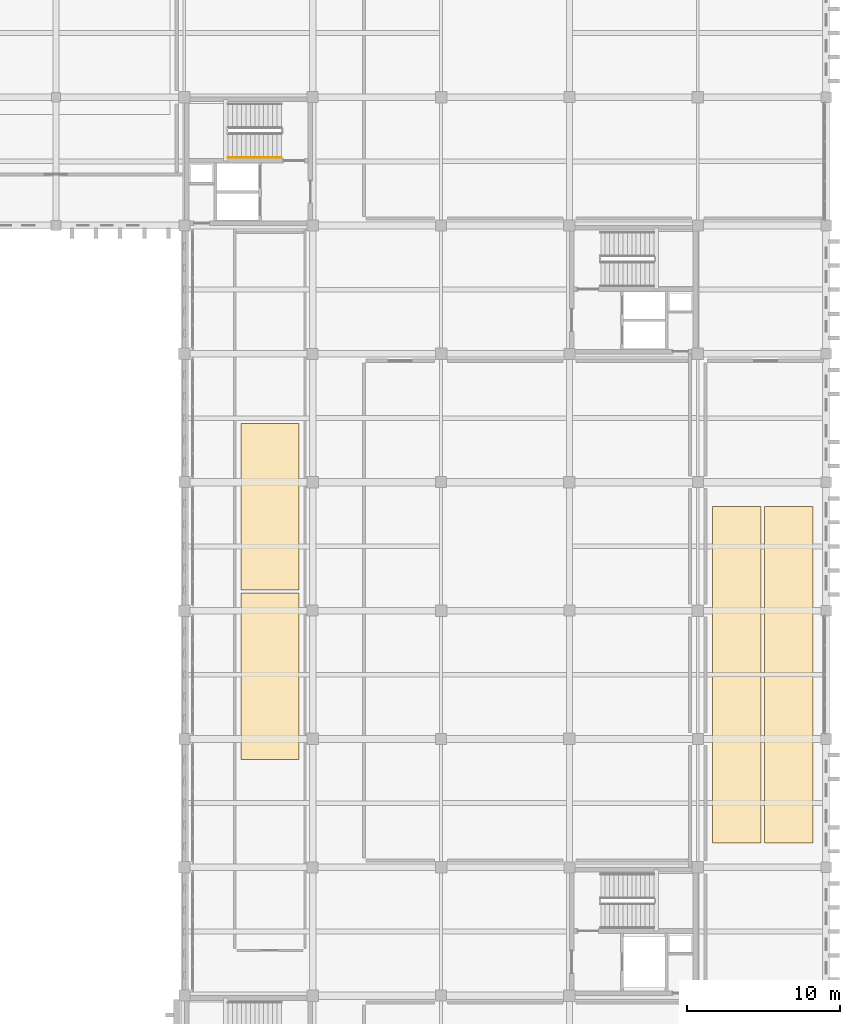
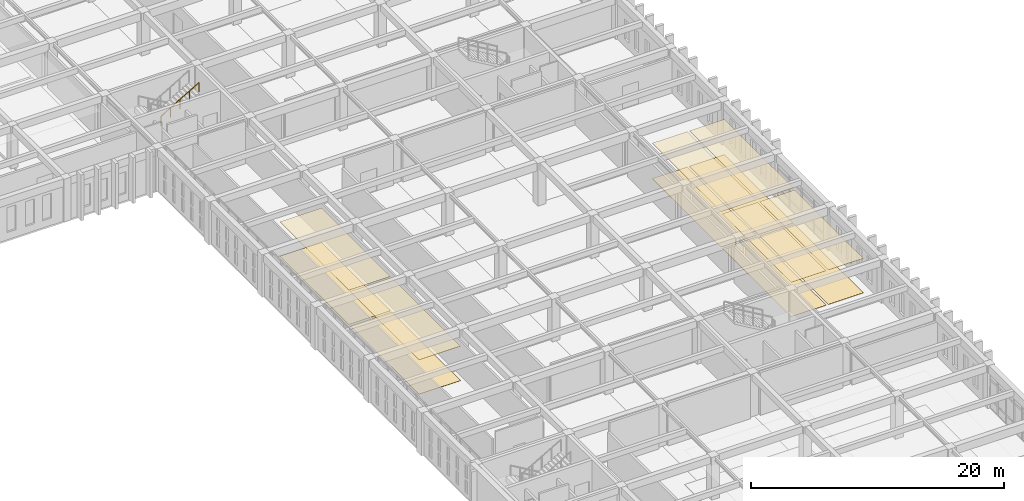
# One storey, part 191 of 192: 12 coverings, 1 railing.
"""IFC4 building model written with IfcOpenShell, lengths in metres."""

from ifc_helpers import new_model, si_unit, direction, frame, origin, origin_2d, place, context, subcontext, project, spatial, rectangle, circle, extrude, material, layer, layer_set, type_object, element, save


model = new_model("IFC4")

# Units and contexts
model_context = context("Model", 3, precision=1e-05, world=origin(), true_north=direction((0.0, 1.0)))
body_context = subcontext(model_context, "Body", "Model", "MODEL_VIEW")
ifc_project = project(units=[si_unit("LENGTHUNIT", "METRE"), si_unit("AREAUNIT", "SQUARE_METRE"), si_unit("VOLUMEUNIT", "CUBIC_METRE"), si_unit("PLANEANGLEUNIT", "RADIAN"), si_unit("MASSUNIT", "GRAM", prefix="KILO")], contexts=[model_context])

# Site, building, storey
site_placement = place(None, origin())
site = spatial("IfcSite", under=ifc_project, at=site_placement, CompositionType="ELEMENT")
building_placement = place(site_placement, origin())
building = spatial("IfcBuilding", under=site, at=building_placement, Name="Kveldsbrygga Polytechnic", CompositionType="ELEMENT")
storey_placement = place(building_placement, frame((0.0, 0.0, 5.43994140625)))
storey = spatial("IfcBuildingStorey", under=building, at=storey_placement, Name="L01", CompositionType="ELEMENT", Elevation=5.43994140625)

# Coverings
ifc_material_1 = material(Name="Acoustic mineral baffle ceiling")
ifc_layer_1 = layer(ifc_material_1, 0.030029296875)
ifc_layer_set_1 = layer_set([ifc_layer_1], Name="Acoustic mineral baffle ceiling")
covering_type_1 = type_object("IfcCoveringType", Name="COV-CEIL-AC30", PredefinedType="CEILING", material=ifc_layer_set_1)
for number, where, z_axis, x_axis, name in (
    (1, (162.14990234375, 49.050048828125, 3.31005859375), (0.0, 0.0, 1.0), (1.0, 0.0, 0.0), "Acoustic Ceiling SP-L01-LAB12-WS"),
    (2, (162.14990234375, 60.14990234375, 3.41015625), (0.0, 0.0, 1.0), (1.0, 0.0, 0.0), "Acoustic Ceiling SP-L01-LAB12-WN"),
    (3, (165.550048828125, 49.050048828125, 3.31005859375), (0.0, 0.0, 1.0), (1.0, 0.0, 0.0), "Acoustic Ceiling SP-L01-LAB12-ES"),
    (4, (165.550048828125, 60.14990234375, 3.41015625), (0.0, 0.0, 1.0), (1.0, 0.0, 0.0), "Acoustic Ceiling SP-L01-LAB12-EN"),
):
    element("IfcCovering", number, at=place(storey_placement, frame(where, z_axis=z_axis, x_axis=x_axis)), inside=storey, type_object=covering_type_1, Name=name, PredefinedType="CEILING", context=body_context, shape_type="SweptSolid", body=[
        extrude(rectangle(XDim=3.199951171875, YDim=10.89990234375, at=origin_2d()), origin(), (0.0, 0.0, 1.0), 0.030029296875),
    ])
for number, where, z_axis, x_axis, name in (
    (5, (131.60009765625, 54.5, 3.31005859375), (0.0, 0.0, 1.0), (1.0, 0.0, 0.0), "Acoustic Ceiling SP-L01-SEM13-S"),
    (6, (131.60009765625, 65.60009765625, 3.31005859375), (0.0, 0.0, 1.0), (1.0, 0.0, 0.0), "Acoustic Ceiling SP-L01-SEM13-N"),
):
    element("IfcCovering", number, at=place(storey_placement, frame(where, z_axis=z_axis, x_axis=x_axis)), inside=storey, type_object=covering_type_1, Name=name, PredefinedType="CEILING", context=body_context, shape_type="SweptSolid", body=[
        extrude(rectangle(XDim=3.800048828125, YDim=10.89990234375, at=origin_2d()), origin(), (0.0, 0.0, 1.0), 0.030029296875),
    ])
ifc_material_2 = material(Name="Heavy-duty quartz-filled epoxy resin flooring")
ifc_layer_2 = layer(ifc_material_2, 0.014892578125)
ifc_layer_set_2 = layer_set([ifc_layer_2], Name="Heavy-duty quartz-filled epoxy resin flooring")
covering_type_2 = type_object("IfcCoveringType", Name="COV-FLR-EPX15", PredefinedType="FLOORING", material=ifc_layer_set_2)
for number, where, z_axis, x_axis, name in (
    (7, (162.14990234375, 49.050048828125, 0.0), (0.0, 0.0, 1.0), (1.0, 0.0, 0.0), "Room Flooring SP-L01-LAB12-WS"),
    (8, (162.14990234375, 60.14990234375, 0.0), (0.0, 0.0, 1.0), (1.0, 0.0, 0.0), "Room Flooring SP-L01-LAB12-WN"),
    (9, (165.550048828125, 49.050048828125, 0.0), (0.0, 0.0, 1.0), (1.0, 0.0, 0.0), "Room Flooring SP-L01-LAB12-ES"),
    (10, (165.550048828125, 60.14990234375, 0.0), (0.0, 0.0, 1.0), (1.0, 0.0, 0.0), "Room Flooring SP-L01-LAB12-EN"),
):
    element("IfcCovering", number, at=place(storey_placement, frame(where, z_axis=z_axis, x_axis=x_axis)), inside=storey, type_object=covering_type_2, Name=name, PredefinedType="FLOORING", context=body_context, shape_type="SweptSolid", body=[
        extrude(rectangle(XDim=3.199951171875, YDim=10.89990234375, at=origin_2d()), origin(), (0.0, 0.0, 1.0), 0.014892578125),
    ])
ifc_material_3 = material(Name="Acoustic oak timber flooring", Category="wood")
ifc_layer_3 = layer(ifc_material_3, 0.02197265625)
ifc_layer_set_3 = layer_set([ifc_layer_3], Name="Acoustic oak timber flooring")
covering_type_3 = type_object("IfcCoveringType", Name="COV-FLR-OAK22", PredefinedType="FLOORING", material=ifc_layer_set_3)
for number, where, z_axis, x_axis, name in (
    (11, (131.60009765625, 54.5, 0.0), (0.0, 0.0, 1.0), (1.0, 0.0, 0.0), "Room Flooring SP-L01-SEM13-S"),
    (12, (131.60009765625, 65.60009765625, 0.0), (0.0, 0.0, 1.0), (1.0, 0.0, 0.0), "Room Flooring SP-L01-SEM13-N"),
):
    element("IfcCovering", number, at=place(storey_placement, frame(where, z_axis=z_axis, x_axis=x_axis)), inside=storey, type_object=covering_type_3, Name=name, PredefinedType="FLOORING", context=body_context, shape_type="SweptSolid", body=[
        extrude(rectangle(XDim=3.800048828125, YDim=10.89990234375, at=origin_2d()), origin(), (0.0, 0.0, 1.0), 0.02197265625),
    ])

# Railing
ifc_material_4 = material(Name="Steel S355", Category="steel")
railing_type = type_object("IfcRailingType", Name="RL-STAIR-HND", PredefinedType="HANDRAIL", material=ifc_material_4)
railing_placement = place(storey_placement, frame((128.8701171875, 88.449951171875, 2.380126953125)))
element("IfcRailing", 13, at=railing_placement, inside=storey, type_object=railing_type, Name="L01 ST-2 stair handrail 2", PredefinedType="HANDRAIL", context=body_context, shape_type="SweptSolid", body=[
    extrude(circle(Radius=0.02392578125, at=origin_2d()), frame((0.0, 0.0, 0.8759765625), z_axis=(0.862692506924, 0.0, 0.505728819128), x_axis=(0.0, 1.0, 0.0)), (0.0, 0.0, 1.0), 4.033935546875),
    extrude(circle(Radius=0.02099609375, at=origin_2d()), origin(), (0.0, 0.0, 1.0), 0.847900390625),
    extrude(circle(Radius=0.02099609375, at=origin_2d()), frame((0.8701171875, 0.0, 0.510009765625)), (0.0, 0.0, 1.0), 0.847900390625),
    extrude(circle(Radius=0.02099609375, at=origin_2d()), frame((1.739990234375, 0.0, 1.02001953125)), (0.0, 0.0, 1.0), 0.847900390625),
    extrude(circle(Radius=0.02099609375, at=origin_2d()), frame((2.60986328125, 0.0, 1.530029296875)), (0.0, 0.0, 1.0), 0.847900390625),
    extrude(circle(Radius=0.02099609375, at=origin_2d()), frame((3.47998046875, 0.0, 2.0400390625)), (0.0, 0.0, 1.0), 0.847900390625),
])

save(model, "model.ifc")
